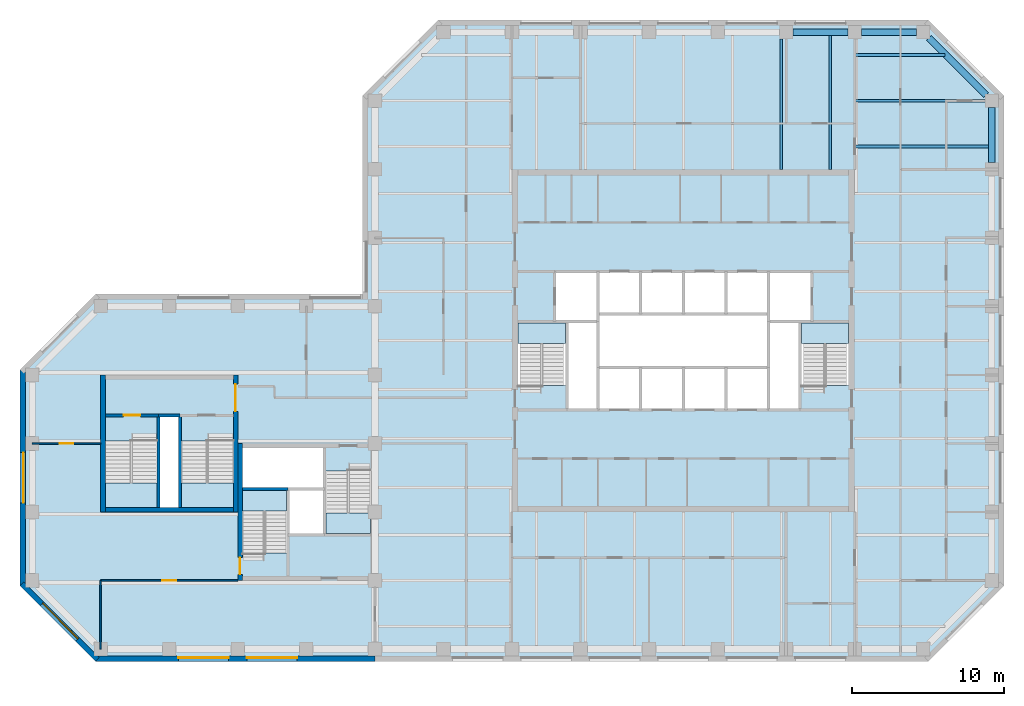
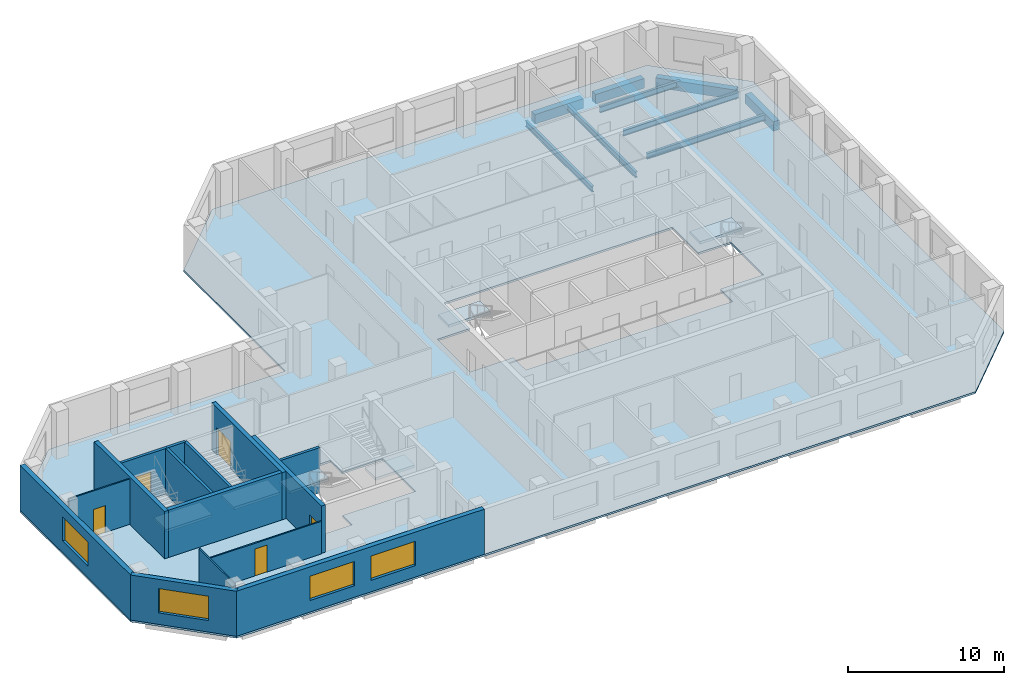
# One storey, part 2 of 9: 15 walls, 9 beams, 7 slabs, 5 doors, 4 windows, 9 openings, 6 elements without a shape of their own.
"""IFC4 building model written with IfcOpenShell, lengths in metres."""

from ifc_helpers import new_model, si_unit, direction, frame, frame_2d, origin, origin_2d, place, context, subcontext, project, spatial, polyline, rectangle, i_section, outline, extrude, material, layer, layer_set, constituent, constituent_set, material_profile, profile_set, type_object, element, fill, aggregate, save


model = new_model("IFC4")

# Units and contexts
model_context = context("Model", 3, precision=1e-05, world=origin(), true_north=direction((0.0, 1.0)))
body_context = subcontext(model_context, "Body", "Model", "MODEL_VIEW")
ifc_project = project(units=[si_unit("LENGTHUNIT", "METRE"), si_unit("AREAUNIT", "SQUARE_METRE"), si_unit("VOLUMEUNIT", "CUBIC_METRE"), si_unit("PLANEANGLEUNIT", "RADIAN"), si_unit("MASSUNIT", "GRAM", prefix="KILO")], contexts=[model_context])

# Site, building, storey
site_placement = place(None, origin())
site = spatial("IfcSite", under=ifc_project, at=site_placement, CompositionType="ELEMENT")
building_placement = place(site_placement, origin())
building = spatial("IfcBuilding", under=site, at=building_placement, Name="Quoin Convention Tower", CompositionType="ELEMENT")
storey_placement = place(building_placement, frame((0.0, 0.0, 181.0)))
storey = spatial("IfcBuildingStorey", under=building, at=storey_placement, Name="L47", CompositionType="ELEMENT", Elevation=181.0)

# Beams
ifc_material_1 = material(Name="Steel Grade 300", Category="steel")
ifc_material_profile_1 = material_profile(ifc_material_1, i_section(OverallWidth=0.18994140625, OverallDepth=0.4541015625, WebThickness=0.008544921875, FlangeThickness=0.0126953125, FilletRadius=0.011474609375, at=origin_2d()), Name="460UB67.1")
ifc_profile_set_1 = profile_set([ifc_material_profile_1], Name="Steel Grade 300")
beam_type_1 = type_object("IfcBeamType", Name="460UB67.1", PredefinedType="BEAM", material=ifc_profile_set_1)
beam_1_placement = place(storey_placement, frame((62.6787109375, 72.0, -0.376953125), z_axis=(0.0, 1.0, 0.0), x_axis=(-1.0, 0.0, 0.0)))
element("IfcBeam", 1, at=beam_1_placement, inside=storey, type_object=beam_type_1, Name="bm-L47-T1N5", PredefinedType="BEAM", context=body_context, shape_type="SweptSolid", body=[
    extrude(i_section(OverallWidth=0.18994140625, OverallDepth=0.4541015625, WebThickness=0.008544921875, FlangeThickness=0.0126953125, FilletRadius=0.011474609375, at=origin_2d()), origin(), (0.0, 0.0, 1.0), 8.550048828125),
])
beam_2_placement = place(storey_placement, frame((65.892822265625, 72.0, -0.376953125), z_axis=(0.0, 1.0, 0.0), x_axis=(-1.0, 0.0, 0.0)))
element("IfcBeam", 2, at=beam_2_placement, inside=storey, type_object=beam_type_1, Name="bm-L47-T1N6", PredefinedType="BEAM", context=body_context, shape_type="SweptSolid", body=[
    extrude(i_section(OverallWidth=0.18994140625, OverallDepth=0.4541015625, WebThickness=0.008544921875, FlangeThickness=0.0126953125, FilletRadius=0.011474609375, at=origin_2d()), origin(), (0.0, 0.0, 1.0), 8.77490234375),
])
beam_3_placement = place(storey_placement, frame((67.5, 79.5, -0.376953125), z_axis=(1.0, 0.0, 0.0), x_axis=(0.0, 1.0, 0.0)))
element("IfcBeam", 3, at=beam_3_placement, inside=storey, type_object=beam_type_1, Name="bm-L47-T1NE0", PredefinedType="BEAM", context=body_context, shape_type="SweptSolid", body=[
    extrude(i_section(OverallWidth=0.18994140625, OverallDepth=0.4541015625, WebThickness=0.008544921875, FlangeThickness=0.0126953125, FilletRadius=0.011474609375, at=origin_2d()), origin(), (0.0, 0.0, 1.0), 5.935791015625),
])
beam_4_placement = place(storey_placement, frame((67.5, 76.5, -0.376953125), z_axis=(1.0, 0.0, 0.0), x_axis=(0.0, 1.0, 0.0)))
element("IfcBeam", 4, at=beam_4_placement, inside=storey, type_object=beam_type_1, Name="bm-L47-T1NE1", PredefinedType="BEAM", context=body_context, shape_type="SweptSolid", body=[
    extrude(i_section(OverallWidth=0.18994140625, OverallDepth=0.4541015625, WebThickness=0.008544921875, FlangeThickness=0.0126953125, FilletRadius=0.011474609375, at=origin_2d()), origin(), (0.0, 0.0, 1.0), 8.550048828125),
])
beam_5_placement = place(storey_placement, frame((67.5, 73.5, -0.376953125), z_axis=(1.0, 0.0, 0.0), x_axis=(0.0, 1.0, 0.0)))
element("IfcBeam", 5, at=beam_5_placement, inside=storey, type_object=beam_type_1, Name="bm-L47-T1NE2", PredefinedType="BEAM", context=body_context, shape_type="SweptSolid", body=[
    extrude(i_section(OverallWidth=0.18994140625, OverallDepth=0.4541015625, WebThickness=0.008544921875, FlangeThickness=0.0126953125, FilletRadius=0.011474609375, at=origin_2d()), origin(), (0.0, 0.0, 1.0), 8.77490234375),
])
ifc_material_2 = material(Name="Concrete C50", Category="concrete")
ifc_material_profile_2 = material_profile(ifc_material_2, rectangle(XDim=0.449951171875, YDim=0.75, at=origin_2d()), Name="RC 450x750")
ifc_profile_set_2 = profile_set([ifc_material_profile_2], Name="Concrete C50")
beam_type_2 = type_object("IfcBeamType", Name="RC 450x750 C50", PredefinedType="SPANDREL", material=ifc_profile_set_2)
beam_6_placement = place(storey_placement, frame((76.5, 72.449951171875, -0.52490234375), z_axis=(0.0, 1.0, 0.0), x_axis=(-1.0, 0.0, 0.0)))
element("IfcBeam", 6, at=beam_6_placement, inside=storey, type_object=beam_type_2, Name="spd-L47-76500_72000-76500_76500", PredefinedType="SPANDREL", context=body_context, shape_type="SweptSolid", body=[
    extrude(rectangle(XDim=0.449951171875, YDim=0.75, at=origin_2d()), origin(), (0.0, 0.0, 1.0), 3.60009765625),
])
beam_7_placement = place(storey_placement, frame((76.135009765625, 76.864990234375, -0.52490234375), z_axis=(-0.707106781187, 0.707106781187, 0.0), x_axis=(-0.707106781187, -0.707106781187, 0.0)))
element("IfcBeam", 7, at=beam_7_placement, inside=storey, type_object=beam_type_2, Name="spd-L47-76500_76500-72000_81000", PredefinedType="SPANDREL", context=body_context, shape_type="SweptSolid", body=[
    extrude(rectangle(XDim=0.449951171875, YDim=0.75, at=origin_2d()), origin(), (0.0, 0.0, 1.0), 5.33154296875),
])
for number, where, z_axis, x_axis, name in (
    (8, (71.550048828125, 81.0, -0.52490234375), (-1.0, 0.0, 0.0), (0.0, -1.0, 0.0), "spd-L47-72000_81000-67500_81000"),
    (9, (67.050048828125, 81.0, -0.52490234375), (-1.0, 0.0, 0.0), (0.0, -1.0, 0.0), "spd-L47-67500_81000-63000_81000"),
):
    element("IfcBeam", number, at=place(storey_placement, frame(where, z_axis=z_axis, x_axis=x_axis)), inside=storey, type_object=beam_type_2, Name=name, PredefinedType="SPANDREL", context=body_context, shape_type="SweptSolid", body=[
        extrude(rectangle(XDim=0.449951171875, YDim=0.75, at=origin_2d()), origin(), (0.0, 0.0, 1.0), 3.60009765625),
    ])

# Slab
ifc_material_3 = material(Name="Concrete C40", Category="concrete")
ifc_layer_1 = layer(ifc_material_3, 0.14990234375)
ifc_layer_set_1 = layer_set([ifc_layer_1], Name="Concrete C40")
slab_type_1 = type_object("IfcSlabType", Name="COMPOSITE SLAB 150 C40", PredefinedType="FLOOR", material=ifc_layer_set_1)
slab_1_placement = place(storey_placement, frame((0.0, 0.0, -0.14990234375)))
element("IfcSlab", 10, at=slab_1_placement, inside=storey, type_object=slab_type_1, Name="slb-L47", PredefinedType="FLOOR", context=body_context, shape_type="SweptSolid", body=[
    extrude(outline(polyline([(17.668701171875, 39.699951171875), (12.699951171875, 44.668701171875), (12.699951171875, 58.831298828125), (17.668701171875, 63.800048828125), (35.199951171875, 63.800048828125), (35.199951171875, 76.831298828125), (40.168701171875, 81.800048828125), (72.331298828125, 81.800048828125), (77.300048828125, 76.831298828125), (77.300048828125, 44.668701171875), (72.331298828125, 39.699951171875), (17.668701171875, 39.699951171875)]), holes=[polyline([(27.300048828125, 51.0), (27.300048828125, 46.800537109375), (30.300048828125, 46.800537109375), (30.300048828125, 48.0), (32.699951171875, 48.0), (35.699951171875, 48.0), (35.699951171875, 52.199462890625), (32.699951171875, 52.199462890625), (32.699951171875, 53.699951171875), (27.300048828125, 53.699951171875), (27.300048828125, 51.0)]), polyline([(18.300048828125, 49.800048828125), (21.800048828125, 49.800048828125), (23.199951171875, 49.800048828125), (26.699951171875, 49.800048828125), (26.699951171875, 54.1494140625), (23.199951171875, 54.1494140625), (23.199951171875, 55.85009765625), (21.800048828125, 55.85009765625), (21.800048828125, 54.1494140625), (18.300048828125, 54.1494140625), (18.300048828125, 49.800048828125)]), polyline([(48.60009765625, 56.199951171875), (50.64990234375, 56.199951171875), (53.449951171875, 56.199951171875), (56.25, 56.199951171875), (59.050048828125, 56.199951171875), (61.85009765625, 56.199951171875), (63.89990234375, 56.199951171875), (63.89990234375, 57.800537109375), (67.10009765625, 57.800537109375), (67.10009765625, 62.0), (64.699951171875, 62.0), (64.699951171875, 65.300048828125), (61.85009765625, 65.300048828125), (59.050048828125, 65.300048828125), (56.25, 65.300048828125), (53.449951171875, 65.300048828125), (50.64990234375, 65.300048828125), (47.800048828125, 65.300048828125), (47.800048828125, 62.0), (45.39990234375, 62.0), (45.39990234375, 57.800537109375), (48.60009765625, 57.800537109375), (48.60009765625, 56.199951171875)])]), origin(), (0.0, 0.0, 1.0), 0.14990234375),
])

# Stair, slab
stair_type_1 = type_object("IfcStairType", Name="Exit stair two-flight 1350", PredefinedType="HALF_TURN_STAIR", material=ifc_material_3)
stair_1_placement = place(storey_placement, origin())
stair_1 = element("IfcStair", 11, at=stair_1_placement, inside=storey, type_object=stair_type_1, Name="SD1 L47", PredefinedType="HALF_TURN_STAIR")
ifc_layer_2 = layer(ifc_material_3, 0.199951171875)
ifc_layer_set_2 = layer_set([ifc_layer_2], Name="Concrete C40")
slab_type_2 = type_object("IfcSlabType", Name="Stair landing 200", PredefinedType="LANDING", material=ifc_layer_set_2)
slab_2_placement = place(storey_placement, frame((0.0, 0.0, 1.792236328125)))
slab_2 = element("IfcSlab", 12, at=slab_2_placement, type_object=slab_type_2, Name="ST1 landing 1", PredefinedType="LANDING", context=body_context, shape_type="SweptSolid", body=[
    extrude(outline(polyline([(45.39990234375, 60.550048828125), (48.5, 60.550048828125), (48.5, 61.89990234375), (45.39990234375, 61.89990234375), (45.39990234375, 60.550048828125)])), origin(), (0.0, 0.0, 1.0), 0.199951171875),
])
aggregate(stair_1, [slab_2])

stair_2_placement = place(storey_placement, origin())
stair_2 = element("IfcStair", 13, at=stair_2_placement, inside=storey, type_object=stair_type_1, Name="SD2 L47", PredefinedType="HALF_TURN_STAIR")
slab_3_placement = place(storey_placement, frame((0.0, 0.0, 1.792236328125)))
slab_3 = element("IfcSlab", 14, at=slab_3_placement, type_object=slab_type_2, Name="ST2 landing 1", PredefinedType="LANDING", context=body_context, shape_type="SweptSolid", body=[
    extrude(outline(polyline([(64.0, 60.550048828125), (67.10009765625, 60.550048828125), (67.10009765625, 61.89990234375), (64.0, 61.89990234375), (64.0, 60.550048828125)])), origin(), (0.0, 0.0, 1.0), 0.199951171875),
])
aggregate(stair_2, [slab_3])

stair_3_placement = place(storey_placement, origin())
stair_3 = element("IfcStair", 15, at=stair_3_placement, inside=storey, type_object=stair_type_1, Name="SD3 L47", PredefinedType="HALF_TURN_STAIR")
slab_4_placement = place(storey_placement, frame((0.0, 0.0, 1.792236328125)))
slab_4 = element("IfcSlab", 16, at=slab_4_placement, type_object=slab_type_2, Name="ST3 landing 1", PredefinedType="LANDING", context=body_context, shape_type="SweptSolid", body=[
    extrude(outline(polyline([(27.300048828125, 49.550048828125), (30.199951171875, 49.550048828125), (30.199951171875, 50.89990234375), (27.300048828125, 50.89990234375), (27.300048828125, 49.550048828125)])), origin(), (0.0, 0.0, 1.0), 0.199951171875),
])
aggregate(stair_3, [slab_4])

stair_4_placement = place(storey_placement, origin())
stair_4 = element("IfcStair", 17, at=stair_4_placement, inside=storey, type_object=stair_type_1, Name="SD4 L47", PredefinedType="HALF_TURN_STAIR")
slab_5_placement = place(storey_placement, frame((0.0, 0.0, 1.792236328125)))
slab_5 = element("IfcSlab", 18, at=slab_5_placement, type_object=slab_type_2, Name="ST4 landing 1", PredefinedType="LANDING", context=body_context, shape_type="SweptSolid", body=[
    extrude(outline(polyline([(35.699951171875, 49.449951171875), (32.800048828125, 49.449951171875), (32.800048828125, 48.10009765625), (35.699951171875, 48.10009765625), (35.699951171875, 49.449951171875)])), origin(), (0.0, 0.0, 1.0), 0.199951171875),
])
aggregate(stair_4, [slab_5])

stair_type_2 = type_object("IfcStairType", Name="Exit stair two-flight 1600", PredefinedType="HALF_TURN_STAIR", material=ifc_material_3)
stair_5_placement = place(storey_placement, origin())
stair_5 = element("IfcStair", 19, at=stair_5_placement, inside=storey, type_object=stair_type_2, Name="SD11 L47", PredefinedType="HALF_TURN_STAIR")
slab_6_placement = place(storey_placement, frame((0.0, 0.0, 1.792236328125)))
slab_6 = element("IfcSlab", 20, at=slab_6_placement, type_object=slab_type_2, Name="ST11 landing 1", PredefinedType="LANDING", context=body_context, shape_type="SweptSolid", body=[
    extrude(outline(polyline([(21.699951171875, 51.39990234375), (18.300048828125, 51.39990234375), (18.300048828125, 49.800048828125), (21.699951171875, 49.800048828125), (21.699951171875, 51.39990234375)])), origin(), (0.0, 0.0, 1.0), 0.199951171875),
])
aggregate(stair_5, [slab_6])

stair_6_placement = place(storey_placement, origin())
stair_6 = element("IfcStair", 21, at=stair_6_placement, inside=storey, type_object=stair_type_2, Name="SD12 L47", PredefinedType="HALF_TURN_STAIR")
slab_7_placement = place(storey_placement, frame((0.0, 0.0, 1.792236328125)))
slab_7 = element("IfcSlab", 22, at=slab_7_placement, type_object=slab_type_2, Name="ST12 landing 1", PredefinedType="LANDING", context=body_context, shape_type="SweptSolid", body=[
    extrude(outline(polyline([(26.699951171875, 51.39990234375), (23.300048828125, 51.39990234375), (23.300048828125, 49.800048828125), (26.699951171875, 49.800048828125), (26.699951171875, 51.39990234375)])), origin(), (0.0, 0.0, 1.0), 0.199951171875),
])
aggregate(stair_6, [slab_7])

# Wall, opening, window
ifc_material_4 = material(Name="Brick masonry", Category="masonry")
ifc_layer_3 = layer(ifc_material_4, 0.35009765625)
ifc_layer_set_3 = layer_set([ifc_layer_3], Name="Brick masonry")
wall_type_1 = type_object("IfcWallType", Name="Brick facade wall", PredefinedType="STANDARD", material=ifc_layer_set_3)
wall_1_placement = place(storey_placement, frame((12.875, 58.831298828125, 0.0), z_axis=(0.0, 0.0, 1.0), x_axis=(0.0, -1.0, 0.0)))
wall_1 = element("IfcWall", 23, at=wall_1_placement, inside=storey, type_object=wall_type_1, Name="fw-L47-13500_58500", PredefinedType="STANDARD", context=body_context, shape_type="SweptSolid", body=[
    extrude(rectangle(XDim=14.16259765625, YDim=0.35009765625, at=frame_2d((7.081298828125, 0.0))), origin(), (0.0, 0.0, 1.0), 3.52490234375),
])
opening_1_placement = place(wall_1_placement, frame((5.431396484375, 0.0, 0.89990234375)))
opening_1 = element("IfcOpeningElement", 24, at=opening_1_placement, cuts=wall_1, Name="Opening W-02", PredefinedType="OPENING", context=body_context, shape_type="SweptSolid", body=[
    extrude(rectangle(XDim=3.300048828125, YDim=1.89990234375, at=frame_2d((1.64990234375, 0.949951171875))), frame((0.0, 0.18505859375, 0.0), z_axis=(0.0, -1.0, 0.0), x_axis=(1.0, 0.0, 0.0)), (0.0, 0.0, 1.0), 0.3701171875),
])
ifc_material_5 = material(Name="Aluminium", Category="aluminium")
ifc_constituent_1 = constituent(ifc_material_5, Name="Frame")
ifc_material_6 = material(Name="Insulated glass", Category="glass")
ifc_constituent_2 = constituent(ifc_material_6, Name="Glazing")
ifc_constituent_set = constituent_set(constituents=[ifc_constituent_1, ifc_constituent_2], Name="Aluminium")
window_type = type_object("IfcWindowType", Name="Office window", PartitioningType="DOUBLE_PANEL_VERTICAL", PredefinedType="WINDOW", material=ifc_constituent_set)
window_1_placement = place(opening_1_placement, origin())
window_1 = element("IfcWindow", 25, at=window_1_placement, inside=storey, type_object=window_type, Name="win-L47-12875_51750", OverallHeight=1.89990234375, OverallWidth=3.300048828125, PartitioningType="SINGLE_PANEL", PredefinedType="WINDOW", context=body_context, shape_type="SweptSolid", body=[
    extrude(rectangle(XDim=3.300048828125, YDim=1.89990234375, at=frame_2d((1.64990234375, 0.949951171875))), frame((0.0, 0.0849609375, 0.0), z_axis=(0.0, -1.0, 0.0), x_axis=(1.0, 0.0, 0.0)), (0.0, 0.0, 1.0), 0.06005859375),
])
fill(opening_1, window_1)

wall_2_placement = place(storey_placement, frame((12.82373046875, 44.79248046875, 0.0), z_axis=(0.0, 0.0, 1.0), x_axis=(0.707106781187, -0.707106781187, 0.0)))
wall_2 = element("IfcWall", 26, at=wall_2_placement, inside=storey, type_object=wall_type_1, Name="fw-L47-13500_45000", PredefinedType="STANDARD", context=body_context, shape_type="SweptSolid", body=[
    extrude(rectangle(XDim=7.02685546875, YDim=0.35009765625, at=frame_2d((3.513427734375, 0.0))), origin(), (0.0, 0.0, 1.0), 3.52490234375),
])
opening_2_placement = place(wall_2_placement, frame((1.86328125, 0.0, 0.89990234375)))
opening_2 = element("IfcOpeningElement", 27, at=opening_2_placement, cuts=wall_2, Name="Opening W-02", PredefinedType="OPENING", context=body_context, shape_type="SweptSolid", body=[
    extrude(rectangle(XDim=3.300048828125, YDim=1.89990234375, at=frame_2d((1.64990234375, 0.949951171875))), frame((0.0, 0.18505859375, 0.0), z_axis=(0.0, -1.0, 0.0), x_axis=(1.0, 0.0, 0.0)), (0.0, 0.0, 1.0), 0.3701171875),
])
window_2_placement = place(opening_2_placement, origin())
window_2 = element("IfcWindow", 28, at=window_2_placement, inside=storey, type_object=window_type, Name="win-L47-15308_42308", OverallHeight=1.89990234375, OverallWidth=3.300048828125, PartitioningType="SINGLE_PANEL", PredefinedType="WINDOW", context=body_context, shape_type="SweptSolid", body=[
    extrude(rectangle(XDim=3.300048828125, YDim=1.89990234375, at=frame_2d((1.64990234375, 0.949951171875))), frame((0.0, 0.0849609375, 0.0), z_axis=(0.0, -1.0, 0.0), x_axis=(1.0, 0.0, 0.0)), (0.0, 0.0, 1.0), 0.06005859375),
])
fill(opening_2, window_2)

# Wall, openings, windows
wall_3_placement = place(storey_placement, frame((17.668701171875, 39.875, 0.0), z_axis=(0.0, 0.0, 1.0), x_axis=(1.0, 0.0, 0.0)))
wall_3 = element("IfcWall", 29, at=wall_3_placement, inside=storey, type_object=wall_type_1, Name="fw-L47-18000_40500", PredefinedType="STANDARD", context=body_context, shape_type="SweptSolid", body=[
    extrude(rectangle(XDim=18.331298828125, YDim=0.35009765625, at=frame_2d((9.16552734375, 0.0))), origin(), (0.0, 0.0, 1.0), 3.52490234375),
])
opening_3_placement = place(wall_3_placement, frame((5.431396484375, 0.0, 0.89990234375)))
opening_3 = element("IfcOpeningElement", 30, at=opening_3_placement, cuts=wall_3, Name="Opening W-02", PredefinedType="OPENING", context=body_context, shape_type="SweptSolid", body=[
    extrude(rectangle(XDim=3.300048828125, YDim=1.89990234375, at=frame_2d((1.64990234375, 0.949951171875))), frame((0.0, 0.18505859375, 0.0), z_axis=(0.0, -1.0, 0.0), x_axis=(1.0, 0.0, 0.0)), (0.0, 0.0, 1.0), 0.3701171875),
])
opening_4_placement = place(wall_3_placement, frame((9.931396484375, 0.0, 0.89990234375)))
opening_4 = element("IfcOpeningElement", 31, at=opening_4_placement, cuts=wall_3, Name="Opening W-02", PredefinedType="OPENING", context=body_context, shape_type="SweptSolid", body=[
    extrude(rectangle(XDim=3.300048828125, YDim=1.89990234375, at=frame_2d((1.64990234375, 0.949951171875))), frame((0.0, 0.18505859375, 0.0), z_axis=(0.0, -1.0, 0.0), x_axis=(1.0, 0.0, 0.0)), (0.0, 0.0, 1.0), 0.3701171875),
])
window_3_placement = place(opening_3_placement, origin())
window_3 = element("IfcWindow", 32, at=window_3_placement, inside=storey, type_object=window_type, Name="win-L47-24750_39875", OverallHeight=1.89990234375, OverallWidth=3.300048828125, PartitioningType="SINGLE_PANEL", PredefinedType="WINDOW", context=body_context, shape_type="SweptSolid", body=[
    extrude(rectangle(XDim=3.300048828125, YDim=1.89990234375, at=frame_2d((1.64990234375, 0.949951171875))), frame((0.0, 0.0849609375, 0.0), z_axis=(0.0, -1.0, 0.0), x_axis=(1.0, 0.0, 0.0)), (0.0, 0.0, 1.0), 0.06005859375),
])
fill(opening_3, window_3)
window_4_placement = place(opening_4_placement, origin())
window_4 = element("IfcWindow", 33, at=window_4_placement, inside=storey, type_object=window_type, Name="win-L47-29250_39875", OverallHeight=1.89990234375, OverallWidth=3.300048828125, PartitioningType="SINGLE_PANEL", PredefinedType="WINDOW", context=body_context, shape_type="SweptSolid", body=[
    extrude(rectangle(XDim=3.300048828125, YDim=1.89990234375, at=frame_2d((1.64990234375, 0.949951171875))), frame((0.0, 0.0849609375, 0.0), z_axis=(0.0, -1.0, 0.0), x_axis=(1.0, 0.0, 0.0)), (0.0, 0.0, 1.0), 0.06005859375),
])
fill(opening_4, window_4)

# Walls
ifc_layer_4 = layer(ifc_material_2, 0.199951171875)
ifc_layer_set_4 = layer_set([ifc_layer_4], Name="Concrete C50")
wall_type_2 = type_object("IfcWallType", Name="Core shaft wall", PredefinedType="SOLIDWALL", material=ifc_layer_set_4)
wall_4_placement = place(storey_placement, frame((27.300048828125, 51.0, 0.0), z_axis=(0.0, 0.0, 1.0), x_axis=(1.0, 0.0, 0.0)))
element("IfcWall", 34, at=wall_4_placement, inside=storey, type_object=wall_type_2, Name="cr-P2-L47-h6000_300", PredefinedType="SOLIDWALL", context=body_context, shape_type="SweptSolid", body=[
    extrude(rectangle(XDim=3.0, YDim=0.199951171875, at=frame_2d((1.5, 0.0))), origin(), (0.0, 0.0, 1.0), 3.550048828125),
])
wall_5_placement = place(storey_placement, frame((21.800048828125, 55.85009765625, 0.0), z_axis=(0.0, 0.0, 1.0), x_axis=(1.0, 0.0, 0.0)))
element("IfcWall", 35, at=wall_5_placement, inside=storey, type_object=wall_type_2, Name="cr-P6-L47-h6350_3800", PredefinedType="SOLIDWALL", context=body_context, shape_type="SweptSolid", body=[
    extrude(rectangle(XDim=1.39990234375, YDim=0.199951171875, at=frame_2d((0.699951171875, 0.0))), origin(), (0.0, 0.0, 1.0), 3.550048828125),
])

# Wall, opening, door
wall_6_placement = place(storey_placement, frame((18.300048828125, 55.85009765625, 0.0), z_axis=(0.0, 0.0, 1.0), x_axis=(1.0, 0.0, 0.0)))
wall_6 = element("IfcWall", 36, at=wall_6_placement, inside=storey, type_object=wall_type_2, Name="cr-P6-L47-h6350_300", PredefinedType="SOLIDWALL", context=body_context, shape_type="SweptSolid", body=[
    extrude(rectangle(XDim=3.5, YDim=0.199951171875, at=frame_2d((1.75, 0.0))), origin(), (0.0, 0.0, 1.0), 3.550048828125),
])
opening_5_placement = place(wall_6_placement, frame((1.199951171875, 0.0, 0.0)))
opening_5 = element("IfcOpeningElement", 37, at=opening_5_placement, cuts=wall_6, Name="Opening SD11", PredefinedType="OPENING", context=body_context, shape_type="SweptSolid", body=[
    extrude(rectangle(XDim=1.10009765625, YDim=2.10009765625, at=frame_2d((0.550048828125, 1.050048828125))), frame((0.0, 0.10986328125, 0.0), z_axis=(0.0, -1.0, 0.0), x_axis=(1.0, 0.0, 0.0)), (0.0, 0.0, 1.0), 0.219970703125),
])
ifc_material_7 = material(Name="Steel door leaf", Category="steel")
door_type_1 = type_object("IfcDoorType", Name="Stair door 1100 x 2100", OperationType="SINGLE_SWING_RIGHT", PredefinedType="DOOR", material=ifc_material_7)
door_1_placement = place(opening_5_placement, origin())
door_1 = element("IfcDoor", 38, at=door_1_placement, inside=storey, type_object=door_type_1, Name="cd-P6-L47-SA-R2-SD11", OperationType="SINGLE_SWING_RIGHT", OverallHeight=2.10009765625, OverallWidth=1.10009765625, PredefinedType="DOOR", context=body_context, shape_type="SweptSolid", body=[
    extrude(rectangle(XDim=1.10009765625, YDim=2.10009765625, at=frame_2d((0.550048828125, 1.050048828125))), frame((0.0, 0.02490234375, 0.0), z_axis=(0.0, -1.0, 0.0), x_axis=(1.0, 0.0, 0.0)), (0.0, 0.0, 1.0), 0.050048828125),
])
fill(opening_5, door_1)

# Walls
for number, where, z_axis, x_axis, name in (
    (39, (21.800048828125, 49.800048828125, 0.0), (0.0, 0.0, 1.0), (0.0, 1.0, 0.0), "cr-P6-L47-v3800_300"),
    (40, (23.199951171875, 49.800048828125, 0.0), (0.0, 0.0, 1.0), (0.0, 1.0, 0.0), "cr-P6-L47-v5200_300"),
):
    element("IfcWall", number, at=place(storey_placement, frame(where, z_axis=z_axis, x_axis=x_axis)), inside=storey, type_object=wall_type_2, Name=name, PredefinedType="SOLIDWALL", context=body_context, shape_type="SweptSolid", body=[
        extrude(rectangle(XDim=6.050048828125, YDim=0.199951171875, at=frame_2d((3.02490234375, 0.0))), origin(), (0.0, 0.0, 1.0), 3.550048828125),
    ])

# Wall, opening, door
ifc_layer_5 = layer(ifc_material_2, 0.300048828125)
ifc_layer_set_5 = layer_set([ifc_layer_5], Name="Concrete C50")
wall_type_3 = type_object("IfcWallType", Name="RC CORE WALL 300 C50", PredefinedType="SHEAR", material=ifc_layer_set_5)
wall_7_placement = place(storey_placement, frame((27.14990234375, 45.0, 0.0), z_axis=(0.0, 0.0, 1.0), x_axis=(0.0, 1.0, 0.0)))
wall_7 = element("IfcWall", 41, at=wall_7_placement, inside=storey, type_object=wall_type_3, Name="cwl-P2-L47-W", PredefinedType="SHEAR", context=body_context, shape_type="SweptSolid", body=[
    extrude(rectangle(XDim=9.0, YDim=0.300048828125, at=frame_2d((4.5, 0.0))), origin(), (0.0, 0.0, 1.0), 3.699951171875),
])
opening_6_placement = place(wall_7_placement, frame((0.39990234375, 0.0, 0.0)))
opening_6 = element("IfcOpeningElement", 42, at=opening_6_placement, cuts=wall_7, Name="Opening SD3", PredefinedType="OPENING", context=body_context, shape_type="SweptSolid", body=[
    extrude(rectangle(XDim=1.10009765625, YDim=2.10009765625, at=frame_2d((0.550048828125, 1.050048828125))), frame((0.0, 0.159912109375, 0.0), z_axis=(0.0, -1.0, 0.0), x_axis=(1.0, 0.0, 0.0)), (0.0, 0.0, 1.0), 0.320068359375),
])
door_2_placement = place(opening_6_placement, frame((1.10009765625, 0.0, 0.0), z_axis=(0.0, 0.0, 1.0), x_axis=(-1.0, 0.0, 0.0)))
door_2 = element("IfcDoor", 43, at=door_2_placement, inside=storey, type_object=door_type_1, Name="cd-P2-L47-SA-W", OperationType="SINGLE_SWING_RIGHT", OverallHeight=2.10009765625, OverallWidth=1.10009765625, PredefinedType="DOOR", context=body_context, shape_type="SweptSolid", body=[
    extrude(rectangle(XDim=1.10009765625, YDim=2.10009765625, at=frame_2d((0.550048828125, 1.050048828125))), frame((0.0, 0.02490234375, 0.0), z_axis=(0.0, -1.0, 0.0), x_axis=(1.0, 0.0, 0.0)), (0.0, 0.0, 1.0), 0.050048828125),
])
fill(opening_6, door_2)

# Walls
wall_8_placement = place(storey_placement, frame((18.300048828125, 49.64990234375, 0.0), z_axis=(0.0, 0.0, 1.0), x_axis=(1.0, 0.0, 0.0)))
element("IfcWall", 44, at=wall_8_placement, inside=storey, type_object=wall_type_3, Name="cwl-P6-L47-S", PredefinedType="SHEAR", context=body_context, shape_type="SweptSolid", body=[
    extrude(rectangle(XDim=8.39990234375, YDim=0.300048828125, at=frame_2d((4.199951171875, 0.0))), origin(), (0.0, 0.0, 1.0), 3.699951171875),
])
wall_9_placement = place(storey_placement, frame((18.14990234375, 49.5, 0.0), z_axis=(0.0, 0.0, 1.0), x_axis=(0.0, 1.0, 0.0)))
element("IfcWall", 45, at=wall_9_placement, inside=storey, type_object=wall_type_3, Name="cwl-P6-L47-W", PredefinedType="SHEAR", context=body_context, shape_type="SweptSolid", body=[
    extrude(rectangle(XDim=9.0, YDim=0.300048828125, at=frame_2d((4.5, 0.0))), origin(), (0.0, 0.0, 1.0), 3.699951171875),
])

# Wall, opening, door
wall_10_placement = place(storey_placement, frame((26.85009765625, 49.5, 0.0), z_axis=(0.0, 0.0, 1.0), x_axis=(0.0, 1.0, 0.0)))
wall_10 = element("IfcWall", 46, at=wall_10_placement, inside=storey, type_object=wall_type_3, Name="cwl-P6-L47-E", PredefinedType="SHEAR", context=body_context, shape_type="SweptSolid", body=[
    extrude(rectangle(XDim=9.0, YDim=0.300048828125, at=frame_2d((4.5, 0.0))), origin(), (0.0, 0.0, 1.0), 3.699951171875),
])
opening_7_placement = place(wall_10_placement, frame((6.60009765625, 0.0, 0.0)))
opening_7 = element("IfcOpeningElement", 47, at=opening_7_placement, cuts=wall_10, Name="Opening DCV4-45", PredefinedType="OPENING", context=body_context, shape_type="SweptSolid", body=[
    extrude(rectangle(XDim=1.800048828125, YDim=2.10009765625, at=frame_2d((0.89990234375, 1.050048828125))), frame((0.0, 0.159912109375, 0.0), z_axis=(0.0, -1.0, 0.0), x_axis=(1.0, 0.0, 0.0)), (0.0, 0.0, 1.0), 0.320068359375),
])
door_type_2 = type_object("IfcDoorType", Name="Goods lobby door 1800 x 2100", OperationType="SINGLE_SWING_LEFT", PredefinedType="DOOR", material=ifc_material_7)
door_3_placement = place(opening_7_placement, origin())
door_3 = element("IfcDoor", 48, at=door_3_placement, inside=storey, type_object=door_type_2, Name="cd-P6-L47-R2-E", OperationType="SINGLE_SWING_LEFT", OverallHeight=2.10009765625, OverallWidth=1.800048828125, PredefinedType="DOOR", context=body_context, shape_type="SweptSolid", body=[
    extrude(rectangle(XDim=1.800048828125, YDim=2.10009765625, at=frame_2d((0.89990234375, 1.050048828125))), frame((0.0, 0.02490234375, 0.0), z_axis=(0.0, -1.0, 0.0), x_axis=(1.0, 0.0, 0.0)), (0.0, 0.0, 1.0), 0.050048828125),
])
fill(opening_7, door_3)

ifc_material_8 = material(Name="Plasterboard")
ifc_layer_6 = layer(ifc_material_8, 0.012451171875, Name="Finish")
ifc_material_9 = material(Name="Steel stud framing", Category="steel")
ifc_layer_7 = layer(ifc_material_9, 0.074951171875, Name="Structure")
ifc_layer_8 = layer(ifc_material_8, 0.012451171875, Name="Finish")
ifc_layer_set_6 = layer_set([ifc_layer_6, ifc_layer_7, ifc_layer_8], Name="Steel stud framing")
wall_type_4 = type_object("IfcWallType", Name="Stud partition 100", PredefinedType="PARTITIONING", material=ifc_layer_set_6)
wall_11_placement = place(storey_placement, frame((13.5, 54.0, 0.0), z_axis=(0.0, 0.0, 1.0), x_axis=(1.0, 0.0, 0.0)))
wall_11 = element("IfcWall", 49, at=wall_11_placement, inside=storey, type_object=wall_type_4, Name="pw-L47-w04", PredefinedType="PARTITIONING", context=body_context, shape_type="SweptSolid", body=[
    extrude(rectangle(XDim=4.5, YDim=0.10009765625, at=frame_2d((2.25, 0.0))), origin(), (0.0, 0.0, 1.0), 3.550048828125),
])
opening_8_placement = place(wall_11_placement, frame((1.800048828125, 0.0, 0.0)))
opening_8 = element("IfcOpeningElement", 50, at=opening_8_placement, cuts=wall_11, Name="Opening DOH5-25", PredefinedType="OPENING", context=body_context, shape_type="SweptSolid", body=[
    extrude(rectangle(XDim=0.89990234375, YDim=2.10009765625, at=frame_2d((0.449951171875, 1.050048828125))), frame((0.0, 0.06005859375, 0.0), z_axis=(0.0, -1.0, 0.0), x_axis=(1.0, 0.0, 0.0)), (0.0, 0.0, 1.0), 0.1201171875),
])
door_type_3 = type_object("IfcDoorType", Name="Office door 900 x 2100", OperationType="SINGLE_SWING_RIGHT", PredefinedType="DOOR", material=ifc_material_7)
door_4_placement = place(opening_8_placement, origin())
door_4 = element("IfcDoor", 51, at=door_4_placement, inside=storey, type_object=door_type_3, Name="dr-L47-w04", OperationType="SINGLE_SWING_RIGHT", OverallHeight=2.10009765625, OverallWidth=0.89990234375, PredefinedType="DOOR", context=body_context, shape_type="SweptSolid", body=[
    extrude(rectangle(XDim=0.89990234375, YDim=2.10009765625, at=frame_2d((0.449951171875, 1.050048828125))), frame((0.0, 0.02490234375, 0.0), z_axis=(0.0, -1.0, 0.0), x_axis=(1.0, 0.0, 0.0)), (0.0, 0.0, 1.0), 0.050048828125),
])
fill(opening_8, door_4)

# Wall
wall_12_placement = place(storey_placement, frame((18.0, 40.5, 0.0), z_axis=(0.0, 0.0, 1.0), x_axis=(0.0, 1.0, 0.0)))
element("IfcWall", 52, at=wall_12_placement, inside=storey, type_object=wall_type_4, Name="pw-L47-w05", PredefinedType="PARTITIONING", context=body_context, shape_type="SweptSolid", body=[
    extrude(rectangle(XDim=4.5, YDim=0.10009765625, at=frame_2d((2.25, 0.0))), origin(), (0.0, 0.0, 1.0), 3.550048828125),
])

# Wall, opening, door
ifc_layer_9 = layer(ifc_material_8, 0.012451171875, Name="Finish")
ifc_layer_10 = layer(ifc_material_9, 0.074951171875, Name="Structure")
ifc_layer_11 = layer(ifc_material_8, 0.012451171875, Name="Finish")
ifc_layer_set_7 = layer_set([ifc_layer_9, ifc_layer_10, ifc_layer_11], Name="Steel stud framing")
wall_type_5 = type_object("IfcWallType", Name="Stud partition 100 under beam 1000", PredefinedType="PARTITIONING", material=ifc_layer_set_7)
wall_13_placement = place(storey_placement, frame((18.0, 45.0, 0.0), z_axis=(0.0, 0.0, 1.0), x_axis=(1.0, 0.0, 0.0)))
wall_13 = element("IfcWall", 53, at=wall_13_placement, inside=storey, type_object=wall_type_5, Name="pw-L47-w06", PredefinedType="PARTITIONING", context=body_context, shape_type="SweptSolid", body=[
    extrude(rectangle(XDim=9.0, YDim=0.10009765625, at=frame_2d((4.5, 0.0))), origin(), (0.0, 0.0, 1.0), 2.550048828125),
])
opening_9_placement = place(wall_13_placement, frame((4.050048828125, 0.0, 0.0)))
opening_9 = element("IfcOpeningElement", 54, at=opening_9_placement, cuts=wall_13, Name="Opening DOH5-26", PredefinedType="OPENING", context=body_context, shape_type="SweptSolid", body=[
    extrude(rectangle(XDim=0.89990234375, YDim=2.10009765625, at=frame_2d((0.449951171875, 1.050048828125))), frame((0.0, 0.06005859375, 0.0), z_axis=(0.0, -1.0, 0.0), x_axis=(1.0, 0.0, 0.0)), (0.0, 0.0, 1.0), 0.1201171875),
])
door_5_placement = place(opening_9_placement, origin())
door_5 = element("IfcDoor", 55, at=door_5_placement, inside=storey, type_object=door_type_3, Name="dr-L47-w05", OperationType="SINGLE_SWING_RIGHT", OverallHeight=2.10009765625, OverallWidth=0.89990234375, PredefinedType="DOOR", context=body_context, shape_type="SweptSolid", body=[
    extrude(rectangle(XDim=0.89990234375, YDim=2.10009765625, at=frame_2d((0.449951171875, 1.050048828125))), frame((0.0, 0.02490234375, 0.0), z_axis=(0.0, -1.0, 0.0), x_axis=(1.0, 0.0, 0.0)), (0.0, 0.0, 1.0), 0.050048828125),
])
fill(opening_9, door_5)

save(model, "model.ifc")
